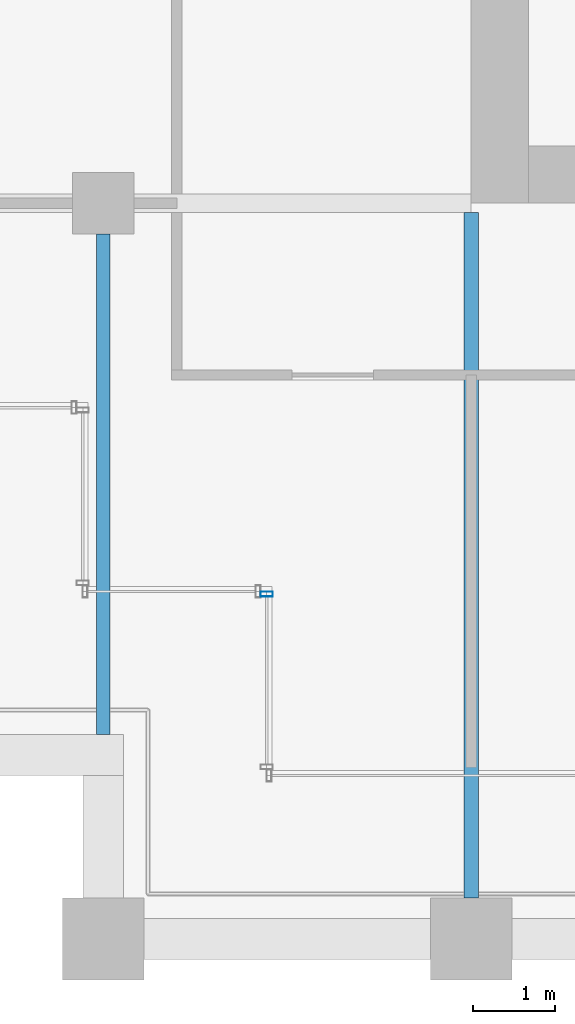
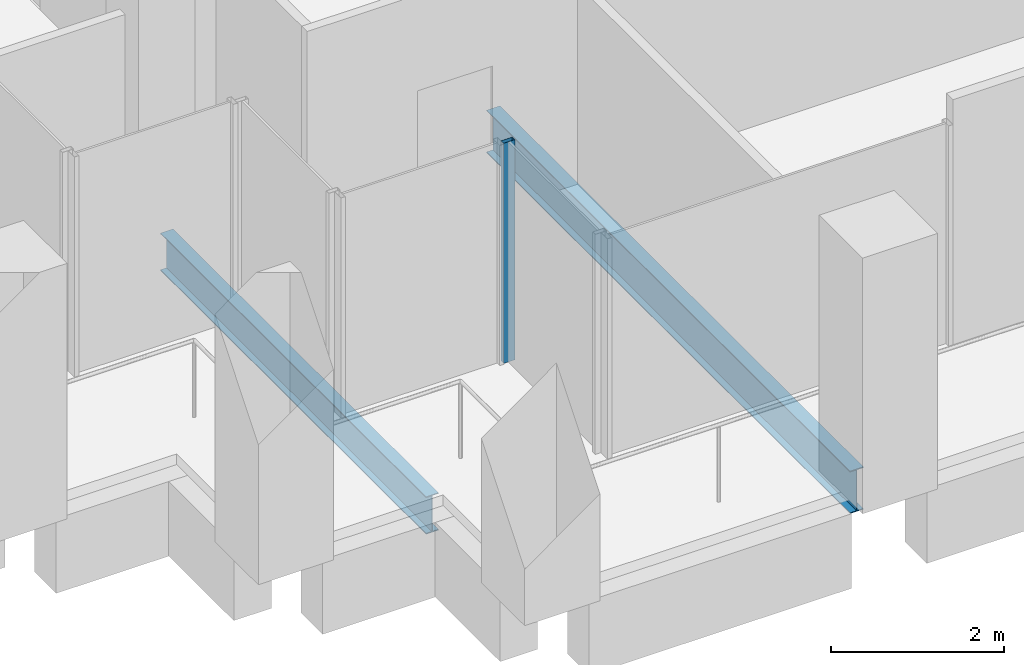
# One storey, part 29 of 46: 2 beams, 1 member, 1 element without a shape of its own.
"""IFC4 building model written with IfcOpenShell, lengths in metres."""

from ifc_helpers import new_model, si_unit, direction, frame, origin, origin_2d, place, context, subcontext, project, spatial, hollow_rectangle, i_section, extrude, material, material_profile, profile_set, type_object, element, aggregate, save


model = new_model("IFC4")

# Units and contexts
model_context = context("Model", 3, precision=1e-05, world=origin(), true_north=direction((0.0, 1.0)))
body_context = subcontext(model_context, "Body", "Model", "MODEL_VIEW")
ifc_project = project(units=[si_unit("LENGTHUNIT", "METRE"), si_unit("AREAUNIT", "SQUARE_METRE"), si_unit("VOLUMEUNIT", "CUBIC_METRE"), si_unit("PLANEANGLEUNIT", "RADIAN"), si_unit("MASSUNIT", "GRAM", prefix="KILO")], contexts=[model_context])

# Site, building, storey
site_placement = place(None, origin())
site = spatial("IfcSite", under=ifc_project, at=site_placement, CompositionType="ELEMENT")
building_placement = place(site_placement, origin())
building = spatial("IfcBuilding", under=site, at=building_placement, Name="Altepetl Exchange Towers", CompositionType="ELEMENT")
storey_placement = place(building_placement, frame((0.0, 0.0, 106.39990234375)))
storey = spatial("IfcBuildingStorey", under=building, at=storey_placement, Name="L26", CompositionType="ELEMENT", Elevation=106.39990234375)

# Beams
ifc_material_1 = material(Name="Steel S355", Category="steel")
ifc_material_profile_1 = material_profile(ifc_material_1, i_section(OverallWidth=0.166015625, OverallDepth=0.529052734375, WebThickness=0.009765625, FlangeThickness=0.013671875, at=origin_2d()), Name="W21X50")
ifc_profile_set_1 = profile_set([ifc_material_profile_1], Name="Steel S355")
beam_type_1 = type_object("IfcBeamType", Name="Floor beam W21X50", PredefinedType="BEAM", material=ifc_profile_set_1)
beam_1_placement = place(storey_placement, frame((99.0, 29.5, -0.414306640625), z_axis=(0.0, 1.0, 0.0), x_axis=(-1.0, 0.0, 0.0)))
element("IfcBeam", 1, at=beam_1_placement, inside=storey, type_object=beam_type_1, Name="bm:B:L26:004", PredefinedType="BEAM", context=body_context, shape_type="SweptSolid", body=[
    extrude(i_section(OverallWidth=0.166015625, OverallDepth=0.529052734375, WebThickness=0.009765625, FlangeThickness=0.013671875, at=origin_2d()), origin(), (0.0, 0.0, 1.0), 6.125),
])
ifc_material_profile_2 = material_profile(ifc_material_1, i_section(OverallWidth=0.177978515625, OverallDepth=0.59912109375, WebThickness=0.010009765625, FlangeThickness=0.0126953125, at=origin_2d()), Name="W24X55")
ifc_profile_set_2 = profile_set([ifc_material_profile_2], Name="Steel S355")
beam_type_2 = type_object("IfcBeamType", Name="Floor beam W24X55", PredefinedType="BEAM", material=ifc_profile_set_2)
beam_2_placement = place(storey_placement, frame((103.5, 27.5, -0.449462890625), z_axis=(0.0, 1.0, 0.0), x_axis=(-1.0, 0.0, 0.0)))
element("IfcBeam", 2, at=beam_2_placement, inside=storey, type_object=beam_type_2, Name="bm:B:L26:005", PredefinedType="BEAM", context=body_context, shape_type="SweptSolid", body=[
    extrude(i_section(OverallWidth=0.177978515625, OverallDepth=0.59912109375, WebThickness=0.010009765625, FlangeThickness=0.0126953125, at=origin_2d()), origin(), (0.0, 0.0, 1.0), 8.385986328125),
])

# Curtain wall, member
ifc_material_2 = material(Name="Aluminium 6063-T6 glazing", Category="aluminium")
curtain_wall_type = type_object("IfcCurtainWallType", Name="Loggia glazing system", PredefinedType="NOTDEFINED", material=ifc_material_2)
curtain_wall_placement = place(storey_placement, origin())
curtain_wall = element("IfcCurtainWall", 3, at=curtain_wall_placement, inside=storey, type_object=curtain_wall_type, Name="CW1 run", PredefinedType="NOTDEFINED")
ifc_material_3 = material(Name="Aluminium 6063-T6", Category="aluminium")
ifc_material_profile_3 = material_profile(ifc_material_3, hollow_rectangle(XDim=0.06005859375, YDim=0.14990234375, WallThickness=0.0029296875, at=origin_2d()), Name="Mullion 60x150 aluminium")
ifc_profile_set_3 = profile_set([ifc_material_profile_3], Name="Aluminium 6063-T6")
member_type = type_object("IfcMemberType", Name="Mullion 60x150 aluminium", PredefinedType="MULLION", material=ifc_profile_set_3)
member_placement = place(storey_placement, frame((101.0, 31.219970703125, 0.0), z_axis=(0.0, 0.0, 1.0), x_axis=(0.0, -1.0, 0.0)))
member = element("IfcMember", 4, at=member_placement, type_object=member_type, Name="MU1 mullion", PredefinedType="MULLION", context=body_context, shape_type="SweptSolid", body=[
    extrude(hollow_rectangle(XDim=0.06005859375, YDim=0.14990234375, WallThickness=0.0029296875, at=origin_2d()), origin(), (0.0, 0.0, 1.0), 3.10009765625),
])
aggregate(curtain_wall, [member])

save(model, "model.ifc")
